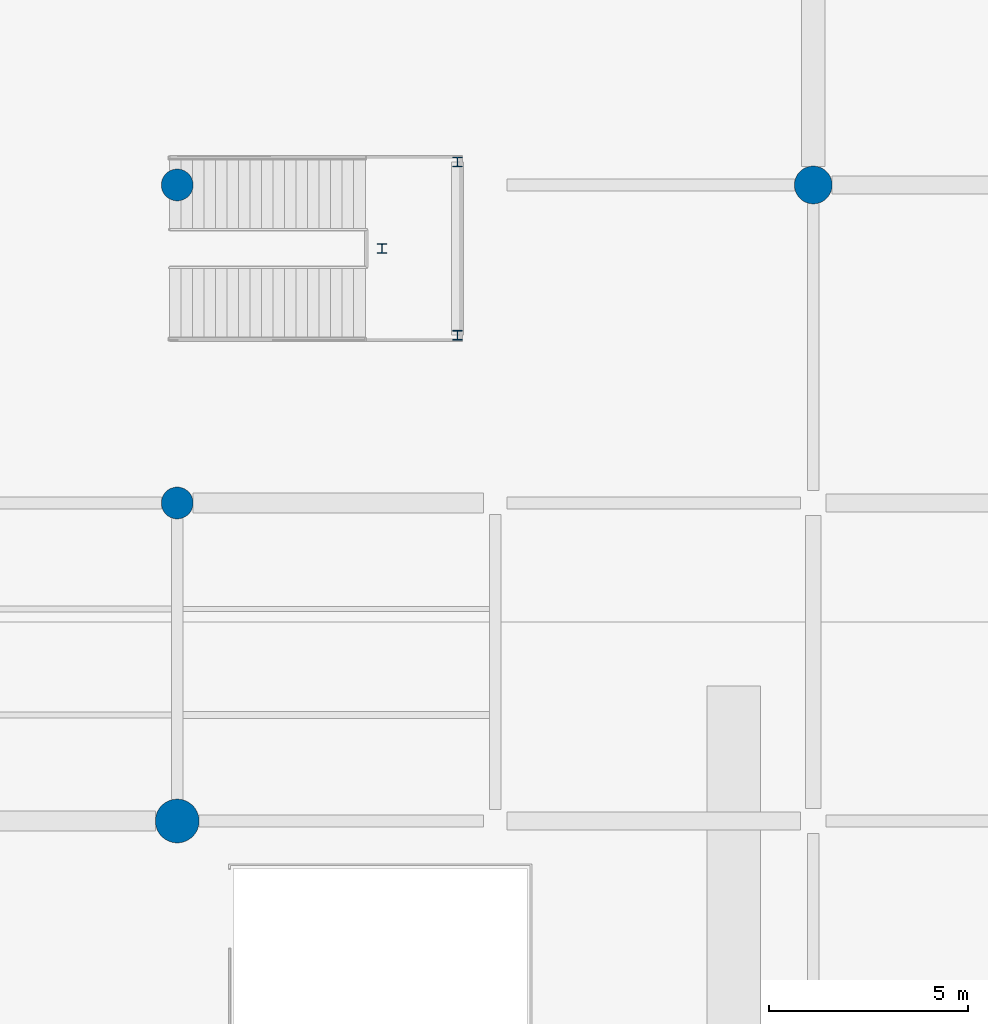
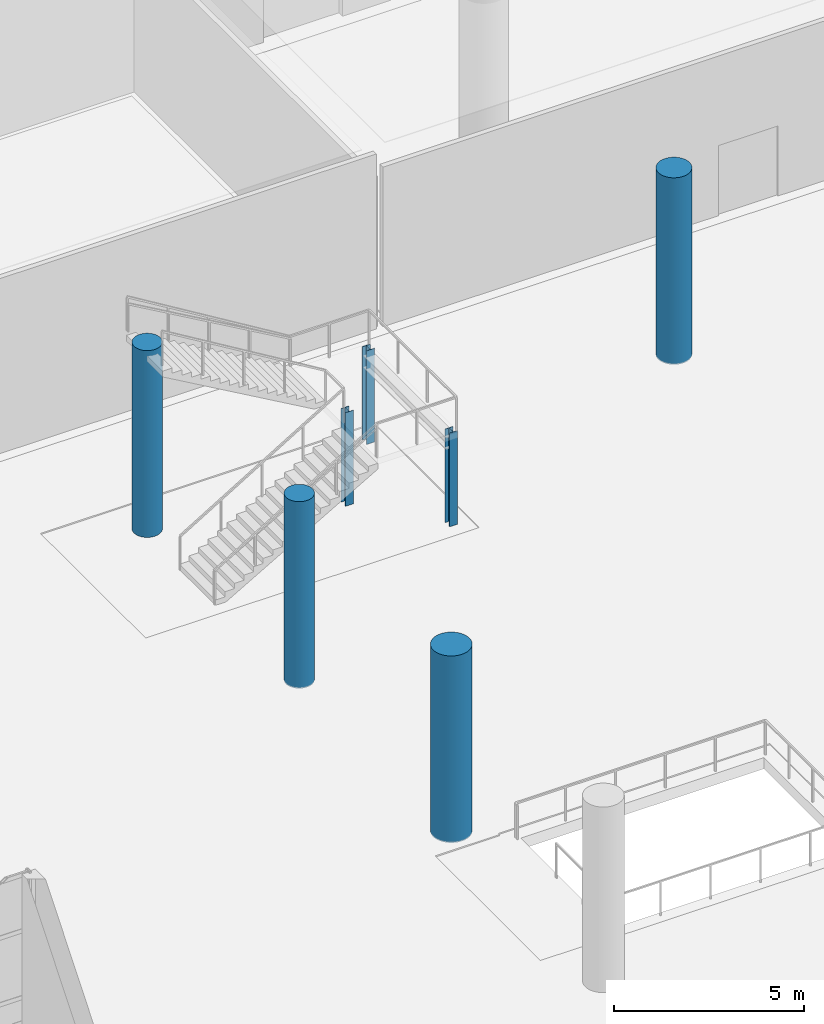
# One storey, part 11 of 163: 7 columns.
"""IFC4 building model written with IfcOpenShell, lengths in metres."""

from ifc_helpers import new_model, si_unit, direction, frame, origin, origin_2d, place, context, subcontext, project, spatial, circle, i_section, extrude, material, material_profile, profile_set, type_object, element, save


model = new_model("IFC4")

# Units and contexts
model_context = context("Model", 3, precision=1e-05, world=origin(), true_north=direction((0.0, 1.0)))
body_context = subcontext(model_context, "Body", "Model", "MODEL_VIEW")
ifc_project = project(units=[si_unit("LENGTHUNIT", "METRE"), si_unit("AREAUNIT", "SQUARE_METRE"), si_unit("VOLUMEUNIT", "CUBIC_METRE"), si_unit("PLANEANGLEUNIT", "RADIAN"), si_unit("MASSUNIT", "GRAM", prefix="KILO")], contexts=[model_context])

# Site, building, storey
site_placement = place(None, origin())
site = spatial("IfcSite", under=ifc_project, at=site_placement, CompositionType="ELEMENT")
building_placement = place(site_placement, origin())
building = spatial("IfcBuilding", under=site, at=building_placement, Name="Khorjan Park Terminus", CompositionType="ELEMENT")
storey_placement = place(building_placement, origin())
storey = spatial("IfcBuildingStorey", under=building, at=storey_placement, Name="L00", CompositionType="ELEMENT", Elevation=0.0)

# Columns
ifc_material_1 = material(Name="Steel S355", Category="steel")
ifc_material_profile_1 = material_profile(ifc_material_1, i_section(OverallWidth=0.24, OverallDepth=0.24, WebThickness=0.01, FlangeThickness=0.017, FilletRadius=0.021, at=origin_2d()), Name="HEB 240")
ifc_profile_set_1 = profile_set([ifc_material_profile_1], Name="Steel S355")
column_type_1 = type_object("IfcColumnType", Name="COL-HB240", PredefinedType="COLUMN", material=ifc_profile_set_1)
for number, where, z_axis, x_axis, name in (
    (1, (71.05, 64.22, 0.0), (0.0, 0.0, 1.0), (1.0, 0.0, 0.0), "Structural column SC-H24 (L00 #1033)"),
    (2, (71.05, 68.58, 0.0), (0.0, 0.0, 1.0), (1.0, 0.0, 0.0), "Structural column SC-H24 (L00 #1035)"),
    (3, (69.15, 66.4, 0.0), (0.0, 0.0, 1.0), (1.0, 0.0, 0.0), "Structural column SC-H24 (L00 #1037)"),
):
    element("IfcColumn", number, at=place(storey_placement, frame(where, z_axis=z_axis, x_axis=x_axis)), inside=storey, type_object=column_type_1, Name=name, PredefinedType="COLUMN", context=body_context, shape_type="SweptSolid", body=[
        extrude(i_section(OverallWidth=0.24, OverallDepth=0.24, WebThickness=0.01, FlangeThickness=0.017, FilletRadius=0.021, at=origin_2d()), origin(), (0.0, 0.0, 1.0), 3.0),
    ])
ifc_material_2 = material(Name="Concrete C50/60", Category="concrete")
ifc_material_profile_2 = material_profile(ifc_material_2, circle(Radius=0.55, at=origin_2d()), Name="RC D1100")
ifc_profile_set_2 = profile_set([ifc_material_profile_2], Name="Concrete C50/60")
column_type_2 = type_object("IfcColumnType", Name="COL-RD1100", PredefinedType="COLUMN", material=ifc_profile_set_2)
column_1_placement = place(storey_placement, frame((64.0, 52.0, 0.0), z_axis=(0.0, 0.0, 1.0), x_axis=(1.0, 0.0, 0.0)))
element("IfcColumn", 4, at=column_1_placement, inside=storey, type_object=column_type_2, Name="Structural column C-RD11 (L00 #294)", PredefinedType="COLUMN", context=body_context, shape_type="SweptSolid", body=[
    extrude(circle(Radius=0.55, at=origin_2d()), origin(), (0.0, 0.0, 1.0), 6.0),
])
ifc_material_3 = material(Name="Concrete C40/50", Category="concrete")
ifc_material_profile_3 = material_profile(ifc_material_3, circle(Radius=0.4, at=origin_2d()), Name="RC D800")
ifc_profile_set_3 = profile_set([ifc_material_profile_3], Name="Concrete C40/50")
column_type_3 = type_object("IfcColumnType", Name="COL-RD800", PredefinedType="COLUMN", material=ifc_profile_set_3)
for number, where, z_axis, x_axis, name in (
    (5, (64.0, 60.0, 0.0), (0.0, 0.0, 1.0), (1.0, 0.0, 0.0), "Structural column C-RD80 (L00 #297)"),
    (6, (64.0, 68.0, 0.0), (0.0, 0.0, 1.0), (1.0, 0.0, 0.0), "Structural column C-RD80 (L00 #299)"),
):
    element("IfcColumn", number, at=place(storey_placement, frame(where, z_axis=z_axis, x_axis=x_axis)), inside=storey, type_object=column_type_3, Name=name, PredefinedType="COLUMN", context=body_context, shape_type="SweptSolid", body=[
        extrude(circle(Radius=0.4, at=origin_2d()), origin(), (0.0, 0.0, 1.0), 6.0),
    ])
ifc_material_profile_4 = material_profile(ifc_material_2, circle(Radius=0.475, at=origin_2d()), Name="RC D950")
ifc_profile_set_4 = profile_set([ifc_material_profile_4], Name="Concrete C50/60")
column_type_4 = type_object("IfcColumnType", Name="COL-RD950", PredefinedType="COLUMN", material=ifc_profile_set_4)
column_2_placement = place(storey_placement, frame((80.0, 68.0, 0.0), z_axis=(0.0, 0.0, 1.0), x_axis=(1.0, 0.0, 0.0)))
element("IfcColumn", 7, at=column_2_placement, inside=storey, type_object=column_type_4, Name="Structural column C-RD95 (L00 #336)", PredefinedType="COLUMN", context=body_context, shape_type="SweptSolid", body=[
    extrude(circle(Radius=0.475, at=origin_2d()), origin(), (0.0, 0.0, 1.0), 6.0),
])

save(model, "model.ifc")
